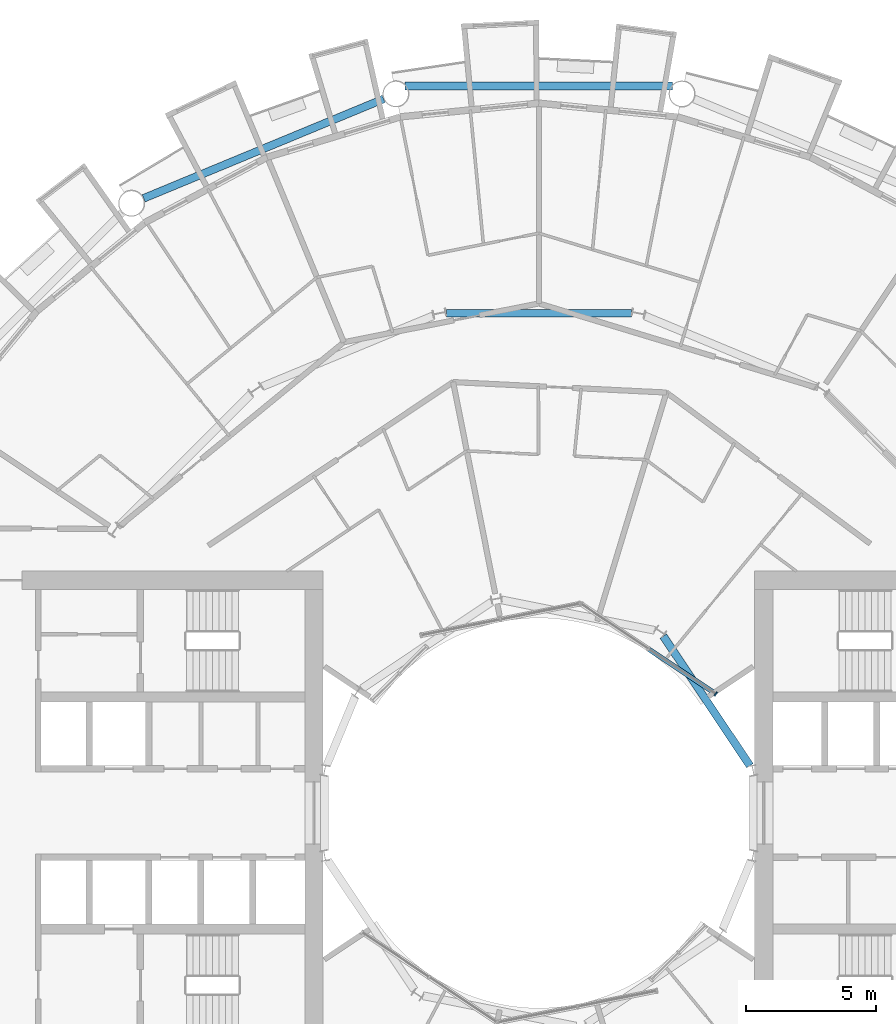
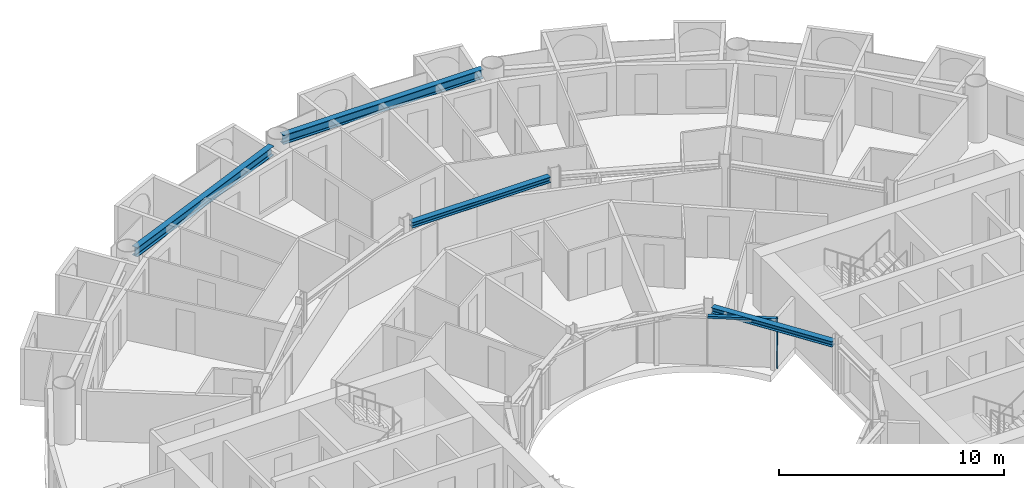
# One storey, part 8 of 26: 4 beams, 2 members, 1 element without a shape of its own.
"""IFC4 building model written with IfcOpenShell, lengths in metres."""

from ifc_helpers import new_model, si_unit, direction, frame, origin, origin_2d, place, context, subcontext, project, spatial, rectangle, i_section, extrude, material, layer, layer_set, material_profile, profile_set, type_object, element, aggregate, save


model = new_model("IFC4")

# Units and contexts
model_context = context("Model", 3, precision=1e-05, world=origin(), true_north=direction((0.0, 1.0)))
body_context = subcontext(model_context, "Body", "Model", "MODEL_VIEW")
ifc_project = project(units=[si_unit("LENGTHUNIT", "METRE"), si_unit("AREAUNIT", "SQUARE_METRE"), si_unit("VOLUMEUNIT", "CUBIC_METRE"), si_unit("PLANEANGLEUNIT", "RADIAN"), si_unit("MASSUNIT", "GRAM", prefix="KILO")], contexts=[model_context])

# Site, building, storey
site_placement = place(None, origin())
site = spatial("IfcSite", under=ifc_project, at=site_placement, CompositionType="ELEMENT")
building_placement = place(site_placement, origin())
building = spatial("IfcBuilding", under=site, at=building_placement, Name="Maasbend Ring Residences", CompositionType="ELEMENT")
storey_placement = place(building_placement, frame((0.0, 0.0, 91.050048828125)))
storey = spatial("IfcBuildingStorey", under=building, at=storey_placement, Name="L26", CompositionType="ELEMENT", Elevation=91.050048828125)

# Curtain wall, members
ifc_material_1 = material(Name="Aluminium and clear glass", Category="aluminium")
ifc_layer = layer(ifc_material_1, 0.179931640625)
ifc_layer_set = layer_set([ifc_layer], Name="CW-W")
curtain_wall_type = type_object("IfcCurtainWallType", Name="CW-W", PredefinedType="NOTDEFINED", material=ifc_layer_set)
curtain_wall_placement = place(storey_placement, origin())
curtain_wall = element("IfcCurtainWall", 1, at=curtain_wall_placement, inside=storey, type_object=curtain_wall_type, Name="Well curtain wall N1", PredefinedType="NOTDEFINED")
ifc_material_2 = material(Name="Aluminium 6063-T6", Category="aluminium")
ifc_material_profile_1 = material_profile(ifc_material_2, rectangle(XDim=0.179931640625, YDim=0.06005859375, at=origin_2d()), Name="AL 180x60")
ifc_profile_set_1 = profile_set([ifc_material_profile_1], Name="Aluminium 6063-T6")
member_type_1 = type_object("IfcMemberType", Name="CWM-W", PredefinedType="MULLION", material=ifc_profile_set_1)
member_1_placement = place(storey_placement, frame((6.805908203125, 4.580810546875, 0.0), z_axis=(0.0, 0.0, 1.0), x_axis=(-0.55557023302, -0.831469612303, 0.0)))
member_1 = element("IfcMember", 2, at=member_1_placement, type_object=member_type_1, Name="Mullion well face", PredefinedType="MULLION", context=body_context, shape_type="SweptSolid", body=[
    extrude(rectangle(XDim=0.179931640625, YDim=0.06005859375, at=origin_2d()), origin(), (0.0, 0.0, 1.0), 2.699951171875),
])
ifc_material_3 = material(Name="Aluminium 6063-T6", Category="aluminium")
ifc_material_profile_2 = material_profile(ifc_material_3, rectangle(XDim=0.179931640625, YDim=0.1201171875, at=origin_2d()), Name="AL 180x120")
ifc_profile_set_2 = profile_set([ifc_material_profile_2], Name="Aluminium 6063-T6")
member_type_2 = type_object("IfcMemberType", Name="CWT-W", PredefinedType="USERDEFINED", material=ifc_profile_set_2)
member_2_placement = place(storey_placement, frame((6.781005859375, 4.59765625, 2.639892578125), z_axis=(-0.831496422459, 0.555530106689, 0.0), x_axis=(-0.555530106689, -0.831496422459, 0.0)))
member_2 = element("IfcMember", 3, at=member_2_placement, type_object=member_type_2, Name="Transom well face", ObjectType="TRANSOM", PredefinedType="USERDEFINED", context=body_context, shape_type="SweptSolid", body=[
    extrude(rectangle(XDim=0.179931640625, YDim=0.1201171875, at=origin_2d()), origin(), (0.0, 0.0, 1.0), 3.053955078125),
])
aggregate(curtain_wall, [member_1, member_2])

# Beams
ifc_material_4 = material(Name="Steel S355J2", Category="steel")
ifc_material_profile_3 = material_profile(ifc_material_4, i_section(OverallWidth=0.300048828125, OverallDepth=0.300048828125, WebThickness=0.010986328125, FlangeThickness=0.01904296875, FilletRadius=0.027099609375, at=origin_2d()), Name="HEB 300")
ifc_profile_set_3 = profile_set([ifc_material_profile_3], Name="Steel S355J2")
beam_type_1 = type_object("IfcBeamType", Name="Corridor ring beam HEB 300", PredefinedType="BEAM", material=ifc_profile_set_3)
beam_1_placement = place(storey_placement, frame((3.556640625, 19.223388671875, 2.550048828125), z_axis=(-1.0, 0.0, 0.0), x_axis=(0.0, -1.0, 0.0)))
element("IfcBeam", 4, at=beam_1_placement, inside=storey, type_object=beam_type_1, Name="Corridor ring beam", PredefinedType="BEAM", context=body_context, shape_type="SweptSolid", body=[
    extrude(i_section(OverallWidth=0.300048828125, OverallDepth=0.300048828125, WebThickness=0.010986328125, FlangeThickness=0.01904296875, FilletRadius=0.027099609375, at=origin_2d()), origin(), (0.0, 0.0, 1.0), 7.11328125),
])
ifc_material_5 = material(Name="Steel S355J2", Category="steel")
ifc_material_profile_4 = material_profile(ifc_material_5, i_section(OverallWidth=0.300048828125, OverallDepth=0.5, WebThickness=0.014404296875, FlangeThickness=0.028076171875, FilletRadius=0.027099609375, at=origin_2d()), Name="HEB 500")
ifc_profile_set_4 = profile_set([ifc_material_profile_4], Name="Steel S355J2")
beam_type_2 = type_object("IfcBeamType", Name="Spandrel ring beam HEB 500", PredefinedType="SPANDREL", material=ifc_profile_set_4)
beam_2_placement = place(storey_placement, frame((5.1435546875, 27.9580078125, 2.449951171875), z_axis=(-1.0, 0.0, 0.0), x_axis=(0.0, -1.0, 0.0)))
element("IfcBeam", 5, at=beam_2_placement, inside=storey, type_object=beam_type_2, Name="Spandrel ring beam", PredefinedType="SPANDREL", context=body_context, shape_type="SweptSolid", body=[
    extrude(i_section(OverallWidth=0.300048828125, OverallDepth=0.5, WebThickness=0.014404296875, FlangeThickness=0.028076171875, FilletRadius=0.027099609375, at=origin_2d()), origin(), (0.0, 0.0, 1.0), 10.287109375),
])
beam_3_placement = place(storey_placement, frame((-5.970703125, 27.463623046875, 2.449951171875), z_axis=(-0.923886337442, -0.382667003395, 0.0), x_axis=(0.382667003395, -0.923886337442, 0.0)))
element("IfcBeam", 6, at=beam_3_placement, inside=storey, type_object=beam_type_2, Name="Spandrel ring beam", PredefinedType="SPANDREL", context=body_context, shape_type="SweptSolid", body=[
    extrude(i_section(OverallWidth=0.300048828125, OverallDepth=0.5, WebThickness=0.014404296875, FlangeThickness=0.028076171875, FilletRadius=0.027099609375, at=origin_2d()), origin(), (0.0, 0.0, 1.0), 9.9873046875),
])
ifc_material_6 = material(Name="Steel S355J2", Category="steel")
ifc_material_profile_5 = material_profile(ifc_material_6, i_section(OverallWidth=0.300048828125, OverallDepth=0.300048828125, WebThickness=0.010986328125, FlangeThickness=0.01904296875, FilletRadius=0.027099609375, at=origin_2d()), Name="HEB 300")
ifc_profile_set_5 = profile_set([ifc_material_profile_5], Name="Steel S355J2")
beam_type_3 = type_object("IfcBeamType", Name="Well edge beam HEB 300", PredefinedType="BEAM", material=ifc_profile_set_5)
beam_4_placement = place(storey_placement, frame((8.118408203125, 1.81884765625, 2.550048828125), z_axis=(-0.555592533493, 0.83145471117, 0.0), x_axis=(-0.83145471117, -0.555592533493, 0.0)))
element("IfcBeam", 7, at=beam_4_placement, inside=storey, type_object=beam_type_3, Name="Well edge beam", PredefinedType="BEAM", context=body_context, shape_type="SweptSolid", body=[
    extrude(i_section(OverallWidth=0.300048828125, OverallDepth=0.300048828125, WebThickness=0.010986328125, FlangeThickness=0.01904296875, FilletRadius=0.027099609375, at=origin_2d()), origin(), (0.0, 0.0, 1.0), 5.995849609375),
])

save(model, "model.ifc")
